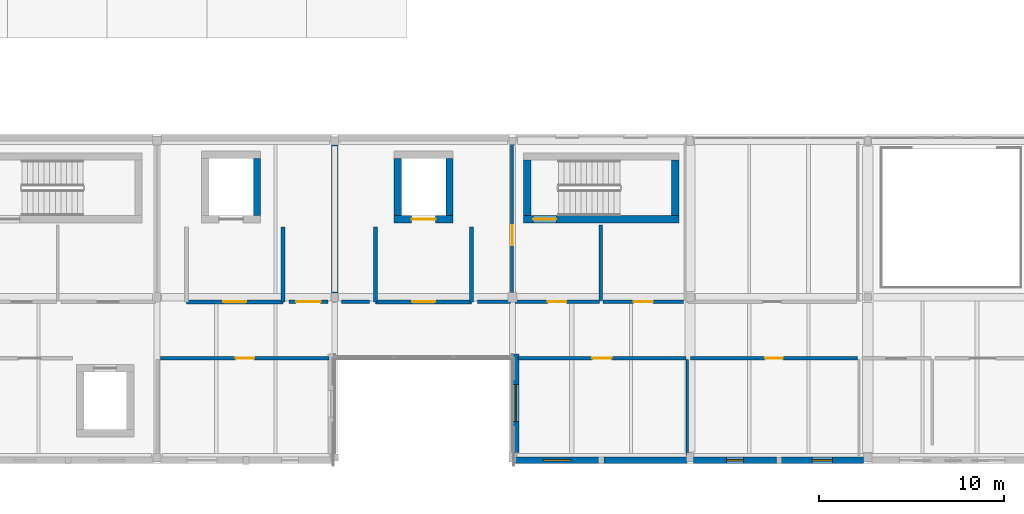
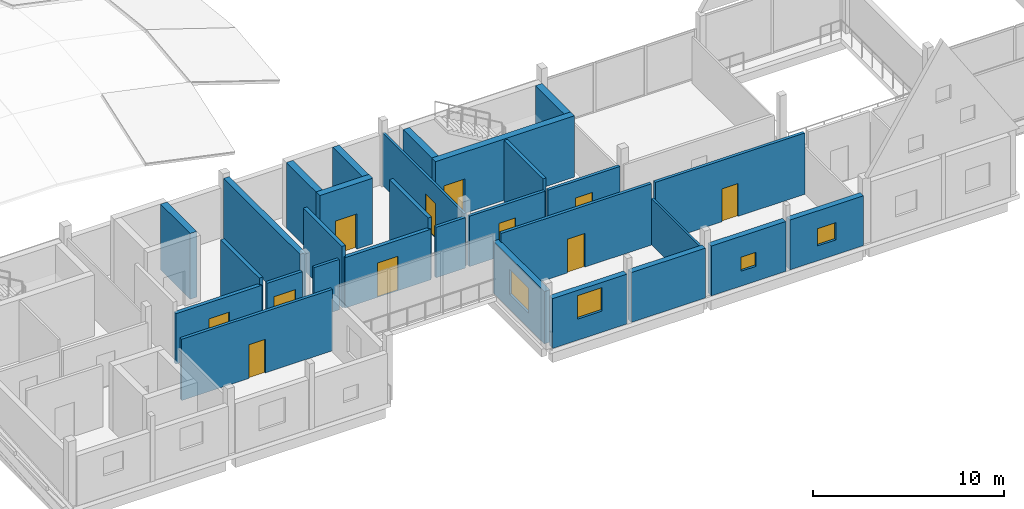
# One storey, part 21 of 35: 29 walls, 11 doors, 4 windows, 15 openings.
"""IFC4 building model written with IfcOpenShell, lengths in metres."""

from ifc_helpers import new_model, si_unit, direction, frame, frame_2d, origin, place, context, subcontext, project, spatial, rectangle, extrude, material, layer, layer_set, type_object, element, fill, save


model = new_model("IFC4")

# Units and contexts
model_context = context("Model", 3, precision=1e-05, world=origin(), true_north=direction((0.0, 1.0)))
body_context = subcontext(model_context, "Body", "Model", "MODEL_VIEW")
ifc_project = project(units=[si_unit("LENGTHUNIT", "METRE"), si_unit("AREAUNIT", "SQUARE_METRE"), si_unit("VOLUMEUNIT", "CUBIC_METRE"), si_unit("PLANEANGLEUNIT", "RADIAN"), si_unit("MASSUNIT", "GRAM", prefix="KILO")], contexts=[model_context])

# Site, building, storey
site_placement = place(None, origin())
site = spatial("IfcSite", under=ifc_project, at=site_placement, CompositionType="ELEMENT")
building_placement = place(site_placement, origin())
building = spatial("IfcBuilding", under=site, at=building_placement, Name="Birchvale Park Specialist Clinic", CompositionType="ELEMENT")
storey_placement = place(building_placement, frame((0.0, 0.0, 13.800048828125)))
storey = spatial("IfcBuildingStorey", under=building, at=storey_placement, Name="L03", CompositionType="ELEMENT", Elevation=13.800048828125)

# Wall, opening, door
ifc_material_1 = material(Name="Concrete C40/50", Category="concrete")
ifc_layer_1 = layer(ifc_material_1, 0.39990234375)
ifc_layer_set_1 = layer_set([ifc_layer_1], Name="Concrete C40/50")
wall_type_1 = type_object("IfcWallType", Name="WL-CW-120", PredefinedType="SHEAR", material=ifc_layer_set_1)
wall_1_placement = place(storey_placement, frame((90.800048828125, 30.0, 0.0), z_axis=(0.0, 0.0, 1.0), x_axis=(1.0, 0.0, 0.0)))
wall_1 = element("IfcWall", 1, at=wall_1_placement, inside=storey, type_object=wall_type_1, Name="L03 stair ST5 EI 120 enclosure wall (south)", PredefinedType="SHEAR", context=body_context, shape_type="SweptSolid", body=[
    extrude(rectangle(XDim=8.39990234375, YDim=0.39990234375, at=frame_2d((4.199951171875, 0.0))), origin(), (0.0, 0.0, 1.0), 3.919921875),
])
opening_1_placement = place(wall_1_placement, frame((0.52001953125, 0.0, 0.0)))
opening_1 = element("IfcOpeningElement", 2, at=opening_1_placement, cuts=wall_1, Name="Opening ID-FD60", PredefinedType="OPENING", context=body_context, shape_type="SweptSolid", body=[
    extrude(rectangle(XDim=1.25, YDim=2.199951171875, at=frame_2d((0.625, 1.10009765625))), frame((0.0, 0.2099609375, 0.0), z_axis=(0.0, -1.0, 0.0), x_axis=(1.0, 0.0, 0.0)), (0.0, 0.0, 1.0), 0.419921875),
])
ifc_material_2 = material(Name="Solid-core birch veneer and anodised aluminium", Category="aluminium")
door_type_1 = type_object("IfcDoorType", Name="DR-ID-FD60", OperationType="NOTDEFINED", PredefinedType="DOOR", material=ifc_material_2)
door_1_placement = place(opening_1_placement, origin())
door_1 = element("IfcDoor", 3, at=door_1_placement, inside=storey, type_object=door_type_1, Name="L03 stair ST5 fire door", OperationType="SINGLE_SWING_LEFT", OverallHeight=2.199951171875, OverallWidth=1.25, PredefinedType="DOOR", context=body_context, shape_type="SweptSolid", body=[
    extrude(rectangle(XDim=1.25, YDim=2.199951171875, at=frame_2d((0.625, 1.10009765625))), frame((0.0, 0.02490234375, 0.0), z_axis=(0.0, -1.0, 0.0), x_axis=(1.0, 0.0, 0.0)), (0.0, 0.0, 1.0), 0.050048828125),
])
fill(opening_1, door_1)

# Walls
for number, where, z_axis, x_axis, name in (
    (4, (91.0, 30.199951171875, 0.0), (0.0, 0.0, 1.0), (0.0, 1.0, 0.0), "L03 stair ST5 EI 120 enclosure wall (west)"),
    (5, (99.0, 33.199951171875, 0.0), (0.0, 0.0, 1.0), (0.0, -1.0, 0.0), "L03 stair ST5 EI 120 enclosure wall (east)"),
):
    element("IfcWall", number, at=place(storey_placement, frame(where, z_axis=z_axis, x_axis=x_axis)), inside=storey, type_object=wall_type_1, Name=name, PredefinedType="SHEAR", context=body_context, shape_type="SweptSolid", body=[
        extrude(rectangle(XDim=3.0, YDim=0.39990234375, at=frame_2d((1.5, 0.0))), origin(), (0.0, 0.0, 1.0), 3.919921875),
    ])
wall_2_placement = place(storey_placement, frame((76.39990234375, 33.300048828125, 0.0), z_axis=(0.0, 0.0, 1.0), x_axis=(0.0, -1.0, 0.0)))
element("IfcWall", 6, at=wall_2_placement, inside=storey, type_object=wall_type_1, Name="L03 lift LF1 shaft wall (east)", PredefinedType="SHEAR", context=body_context, shape_type="SweptSolid", body=[
    extrude(rectangle(XDim=3.10009765625, YDim=0.39990234375, at=frame_2d((1.550048828125, 0.0))), origin(), (0.0, 0.0, 1.0), 4.199951171875),
])

# Wall, opening, door
wall_3_placement = place(storey_placement, frame((83.800048828125, 30.0, 0.0), z_axis=(0.0, 0.0, 1.0), x_axis=(1.0, 0.0, 0.0)))
wall_3 = element("IfcWall", 7, at=wall_3_placement, inside=storey, type_object=wall_type_1, Name="L03 lift LF2 shaft wall (south)", PredefinedType="SHEAR", context=body_context, shape_type="SweptSolid", body=[
    extrude(rectangle(XDim=3.199951171875, YDim=0.39990234375, at=frame_2d((1.60009765625, 0.0))), origin(), (0.0, 0.0, 1.0), 4.199951171875),
])
opening_2_placement = place(wall_3_placement, frame((0.949951171875, 0.0, 0.0)))
opening_2 = element("IfcOpeningElement", 8, at=opening_2_placement, cuts=wall_3, Name="Opening LD-02", PredefinedType="OPENING", context=body_context, shape_type="SweptSolid", body=[
    extrude(rectangle(XDim=1.300048828125, YDim=2.25, at=frame_2d((0.64990234375, 1.125))), frame((0.0, 0.2099609375, 0.0), z_axis=(0.0, -1.0, 0.0), x_axis=(1.0, 0.0, 0.0)), (0.0, 0.0, 1.0), 0.419921875),
])
door_type_2 = type_object("IfcDoorType", Name="DR-LD-02", OperationType="DOUBLE_DOOR_SLIDING", PredefinedType="DOOR", material=ifc_material_2)
door_2_placement = place(opening_2_placement, origin())
door_2 = element("IfcDoor", 9, at=door_2_placement, inside=storey, type_object=door_type_2, Name="L03 lift LF2 sliding landing door", OperationType="DOUBLE_DOOR_SLIDING", OverallHeight=2.25, OverallWidth=1.300048828125, PredefinedType="DOOR", context=body_context, shape_type="SweptSolid", body=[
    extrude(rectangle(XDim=1.300048828125, YDim=2.25, at=frame_2d((0.64990234375, 1.125))), frame((0.0, 0.02490234375, 0.0), z_axis=(0.0, -1.0, 0.0), x_axis=(1.0, 0.0, 0.0)), (0.0, 0.0, 1.0), 0.050048828125),
])
fill(opening_2, door_2)

# Walls
for number, where, z_axis, x_axis, name in (
    (10, (84.0, 30.199951171875, 0.0), (0.0, 0.0, 1.0), (0.0, 1.0, 0.0), "L03 lift LF2 shaft wall (west)"),
    (11, (86.800048828125, 33.300048828125, 0.0), (0.0, 0.0, 1.0), (0.0, -1.0, 0.0), "L03 lift LF2 shaft wall (east)"),
):
    element("IfcWall", number, at=place(storey_placement, frame(where, z_axis=z_axis, x_axis=x_axis)), inside=storey, type_object=wall_type_1, Name=name, PredefinedType="SHEAR", context=body_context, shape_type="SweptSolid", body=[
        extrude(rectangle(XDim=3.10009765625, YDim=0.39990234375, at=frame_2d((1.550048828125, 0.0))), origin(), (0.0, 0.0, 1.0), 4.199951171875),
    ])

# Wall, opening, window
ifc_material_3 = material(Name="Lime-white mineral-rendered insulated masonry", Category="masonry")
ifc_layer_2 = layer(ifc_material_3, 0.340087890625)
ifc_layer_set_2 = layer_set([ifc_layer_2], Name="Lime-white mineral-rendered insulated masonry")
wall_type_2 = type_object("IfcWallType", Name="WL-EW-01", PredefinedType="STANDARD", material=ifc_layer_set_2)
wall_4_placement = place(storey_placement, frame((90.389892578125, 22.739990234375, 0.0), z_axis=(0.0, 0.0, 1.0), x_axis=(0.0, -1.0, 0.0)))
wall_4 = element("IfcWall", 12, at=wall_4_placement, inside=storey, type_object=wall_type_2, Name="V4 L03 exterior facade wall 243", PredefinedType="STANDARD", context=body_context, shape_type="SweptSolid", body=[
    extrude(rectangle(XDim=5.3349609375, YDim=0.340087890625, at=frame_2d((2.66748046875, 0.0))), origin(), (0.0, 0.0, 1.0), 3.3349609375),
])
opening_3_placement = place(wall_4_placement, frame((1.66748046875, 0.0, 0.949951171875)))
opening_3 = element("IfcOpeningElement", 13, at=opening_3_placement, cuts=wall_4, Name="Opening W-CL06", PredefinedType="OPENING", context=body_context, shape_type="SweptSolid", body=[
    extrude(rectangle(XDim=2.0, YDim=1.60009765625, at=frame_2d((1.0, 0.800048828125))), frame((0.0, 0.18017578125, 0.0), z_axis=(0.0, -1.0, 0.0), x_axis=(1.0, 0.0, 0.0)), (0.0, 0.0, 1.0), 0.360107421875),
])
ifc_material_4 = material(Name="Solar-control low-E double glazing", Category="glass")
window_type_1 = type_object("IfcWindowType", Name="WIN-W-CL06", PartitioningType="SINGLE_PANEL", PredefinedType="WINDOW", material=ifc_material_4)
window_1_placement = place(opening_3_placement, origin())
window_1 = element("IfcWindow", 14, at=window_1_placement, inside=storey, type_object=window_type_1, Name="V4 L03 cased window 105", OverallHeight=1.60009765625, OverallWidth=2.0, PartitioningType="SINGLE_PANEL", PredefinedType="WINDOW", context=body_context, shape_type="SweptSolid", body=[
    extrude(rectangle(XDim=2.0, YDim=1.60009765625, at=frame_2d((1.0, 0.800048828125))), frame((0.0, 0.030029296875, 0.0), z_axis=(0.0, -1.0, 0.0), x_axis=(1.0, 0.0, 0.0)), (0.0, 0.0, 1.0), 0.06005859375),
])
fill(opening_3, window_1)

wall_5_placement = place(storey_placement, frame((90.3798828125, 16.989990234375, 0.0), z_axis=(0.0, 0.0, 1.0), x_axis=(1.0, 0.0, 0.0)))
wall_5 = element("IfcWall", 15, at=wall_5_placement, inside=storey, type_object=wall_type_2, Name="V4 L03 exterior facade wall 244", PredefinedType="STANDARD", context=body_context, shape_type="SweptSolid", body=[
    extrude(rectangle(XDim=4.485107421875, YDim=0.340087890625, at=frame_2d((2.24267578125, 0.0))), origin(), (0.0, 0.0, 1.0), 3.18505859375),
])
opening_4_placement = place(wall_5_placement, frame((1.492431640625, 0.0, 1.35009765625)))
opening_4 = element("IfcOpeningElement", 16, at=opening_4_placement, cuts=wall_5, Name="Opening W-SQ15", PredefinedType="OPENING", context=body_context, shape_type="SweptSolid", body=[
    extrude(rectangle(XDim=1.5, YDim=1.5, at=frame_2d((0.75, 0.75))), frame((0.0, 0.18017578125, 0.0), z_axis=(0.0, -1.0, 0.0), x_axis=(1.0, 0.0, 0.0)), (0.0, 0.0, 1.0), 0.360107421875),
])
window_type_2 = type_object("IfcWindowType", Name="WIN-W-SQ15", PartitioningType="SINGLE_PANEL", PredefinedType="WINDOW", material=ifc_material_4)
window_2_placement = place(opening_4_placement, origin())
window_2 = element("IfcWindow", 17, at=window_2_placement, inside=storey, type_object=window_type_2, Name="V4 L03 cased window 106", OverallHeight=1.5, OverallWidth=1.5, PartitioningType="SINGLE_PANEL", PredefinedType="WINDOW", context=body_context, shape_type="SweptSolid", body=[
    extrude(rectangle(XDim=1.5, YDim=1.5, at=frame_2d((0.75, 0.75))), frame((0.0, 0.030029296875, 0.0), z_axis=(0.0, -1.0, 0.0), x_axis=(1.0, 0.0, 0.0)), (0.0, 0.0, 1.0), 0.06005859375),
])
fill(opening_4, window_2)

# Wall
wall_6_placement = place(storey_placement, frame((95.135009765625, 16.989990234375, 0.0), z_axis=(0.0, 0.0, 1.0), x_axis=(1.0, 0.0, 0.0)))
element("IfcWall", 18, at=wall_6_placement, inside=storey, type_object=wall_type_2, Name="V4 L03 exterior facade wall 245", PredefinedType="STANDARD", context=body_context, shape_type="SweptSolid", body=[
    extrude(rectangle(XDim=4.485107421875, YDim=0.340087890625, at=frame_2d((2.24267578125, 0.0))), origin(), (0.0, 0.0, 1.0), 3.18505859375),
])

# Wall, opening, window
wall_7_placement = place(storey_placement, frame((99.97998046875, 16.989990234375, 0.0), z_axis=(0.0, 0.0, 1.0), x_axis=(1.0, 0.0, 0.0)))
wall_7 = element("IfcWall", 19, at=wall_7_placement, inside=storey, type_object=wall_type_2, Name="V4 L03 exterior facade wall 246", PredefinedType="STANDARD", context=body_context, shape_type="SweptSolid", body=[
    extrude(rectangle(XDim=4.5, YDim=0.340087890625, at=frame_2d((2.25, 0.0))), origin(), (0.0, 0.0, 1.0), 3.18505859375),
])
opening_5_placement = place(wall_7_placement, frame((1.800048828125, 0.0, 0.949951171875)))
opening_5 = element("IfcOpeningElement", 20, at=opening_5_placement, cuts=wall_7, Name="Opening W-SQ09", PredefinedType="OPENING", context=body_context, shape_type="SweptSolid", body=[
    extrude(rectangle(XDim=0.89990234375, YDim=0.89990234375, at=frame_2d((0.449951171875, 0.449951171875))), frame((0.0, 0.18017578125, 0.0), z_axis=(0.0, -1.0, 0.0), x_axis=(1.0, 0.0, 0.0)), (0.0, 0.0, 1.0), 0.360107421875),
])
window_type_3 = type_object("IfcWindowType", Name="WIN-W-SQ09", PartitioningType="SINGLE_PANEL", PredefinedType="WINDOW", material=ifc_material_4)
window_3_placement = place(opening_5_placement, origin())
window_3 = element("IfcWindow", 21, at=window_3_placement, inside=storey, type_object=window_type_3, Name="V4 L03 cased window 107", OverallHeight=0.89990234375, OverallWidth=0.89990234375, PartitioningType="SINGLE_PANEL", PredefinedType="WINDOW", context=body_context, shape_type="SweptSolid", body=[
    extrude(rectangle(XDim=0.89990234375, YDim=0.89990234375, at=frame_2d((0.449951171875, 0.449951171875))), frame((0.0, 0.030029296875, 0.0), z_axis=(0.0, -1.0, 0.0), x_axis=(1.0, 0.0, 0.0)), (0.0, 0.0, 1.0), 0.06005859375),
])
fill(opening_5, window_3)

wall_8_placement = place(storey_placement, frame((104.719970703125, 16.989990234375, 0.0), z_axis=(0.0, 0.0, 1.0), x_axis=(1.0, 0.0, 0.0)))
wall_8 = element("IfcWall", 22, at=wall_8_placement, inside=storey, type_object=wall_type_2, Name="V4 L03 exterior facade wall 247", PredefinedType="STANDARD", context=body_context, shape_type="SweptSolid", body=[
    extrude(rectangle(XDim=4.445068359375, YDim=0.340087890625, at=frame_2d((2.22265625, 0.0))), origin(), (0.0, 0.0, 1.0), 3.18505859375),
])
opening_6_placement = place(wall_8_placement, frame((1.672607421875, 0.0, 0.949951171875)))
opening_6 = element("IfcOpeningElement", 23, at=opening_6_placement, cuts=wall_8, Name="Opening W-SQ11", PredefinedType="OPENING", context=body_context, shape_type="SweptSolid", body=[
    extrude(rectangle(XDim=1.10009765625, YDim=1.10009765625, at=frame_2d((0.550048828125, 0.550048828125))), frame((0.0, 0.18017578125, 0.0), z_axis=(0.0, -1.0, 0.0), x_axis=(1.0, 0.0, 0.0)), (0.0, 0.0, 1.0), 0.360107421875),
])
window_type_4 = type_object("IfcWindowType", Name="WIN-W-SQ11", PartitioningType="SINGLE_PANEL", PredefinedType="WINDOW", material=ifc_material_4)
window_4_placement = place(opening_6_placement, origin())
window_4 = element("IfcWindow", 24, at=window_4_placement, inside=storey, type_object=window_type_4, Name="V4 L03 cased window 108", OverallHeight=1.10009765625, OverallWidth=1.10009765625, PartitioningType="SINGLE_PANEL", PredefinedType="WINDOW", context=body_context, shape_type="SweptSolid", body=[
    extrude(rectangle(XDim=1.10009765625, YDim=1.10009765625, at=frame_2d((0.550048828125, 0.550048828125))), frame((0.0, 0.030029296875, 0.0), z_axis=(0.0, -1.0, 0.0), x_axis=(1.0, 0.0, 0.0)), (0.0, 0.0, 1.0), 0.06005859375),
])
fill(opening_6, window_4)

# Wall, opening, door
ifc_material_5 = material(Name="Acoustic gypsum board on metal framing")
ifc_layer_3 = layer(ifc_material_5, 0.139892578125)
ifc_layer_set_3 = layer_set([ifc_layer_3], Name="Acoustic gypsum board on metal framing")
wall_type_3 = type_object("IfcWallType", Name="WL-IW-03", PredefinedType="PARTITIONING", material=ifc_layer_set_3)
wall_9_placement = place(storey_placement, frame((90.179931640625, 34.159912109375, 0.0), z_axis=(0.0, 0.0, 1.0), x_axis=(0.0, -1.0, 0.0)))
wall_9 = element("IfcWall", 25, at=wall_9_placement, inside=storey, type_object=wall_type_3, Name="V4 L03 clinical partition 517", PredefinedType="PARTITIONING", context=body_context, shape_type="SweptSolid", body=[
    extrude(rectangle(XDim=8.530029296875, YDim=0.139892578125, at=frame_2d((4.26513671875, 0.0))), origin(), (0.0, 0.0, 1.0), 3.364990234375),
])
opening_7_placement = place(wall_9_placement, frame((4.47509765625, 0.0, 0.0)))
opening_7 = element("IfcOpeningElement", 26, at=opening_7_placement, cuts=wall_9, Name="Opening ID-03", PredefinedType="OPENING", context=body_context, shape_type="SweptSolid", body=[
    extrude(rectangle(XDim=1.080078125, YDim=2.199951171875, at=frame_2d((0.5400390625, 1.10009765625))), frame((0.0, 0.080078125, 0.0), z_axis=(0.0, -1.0, 0.0), x_axis=(1.0, 0.0, 0.0)), (0.0, 0.0, 1.0), 0.159912109375),
])
door_type_3 = type_object("IfcDoorType", Name="DR-ID-03", OperationType="NOTDEFINED", PredefinedType="DOOR", material=ifc_material_2)
door_3_placement = place(opening_7_placement, origin())
door_3 = element("IfcDoor", 27, at=door_3_placement, inside=storey, type_object=door_type_3, Name="V4 L03 clinical suite door 345", OperationType="SINGLE_SWING_RIGHT", OverallHeight=2.199951171875, OverallWidth=1.080078125, PredefinedType="DOOR", context=body_context, shape_type="SweptSolid", body=[
    extrude(rectangle(XDim=1.080078125, YDim=2.199951171875, at=frame_2d((0.5400390625, 1.10009765625))), frame((0.0, 0.02490234375, 0.0), z_axis=(0.0, -1.0, 0.0), x_axis=(1.0, 0.0, 0.0)), (0.0, 0.0, 1.0), 0.050048828125),
])
fill(opening_7, door_3)

# Walls
ifc_layer_4 = layer(ifc_material_5, 0.125)
ifc_layer_set_4 = layer_set([ifc_layer_4], Name="Acoustic gypsum board on metal framing")
wall_type_4 = type_object("IfcWallType", Name="WL-IW-04", PredefinedType="PARTITIONING", material=ifc_layer_set_4)
wall_10_placement = place(storey_placement, frame((99.6533203125, 22.419921875, 0.0), z_axis=(0.0, 0.0, 1.0), x_axis=(0.0, -1.0, 0.0)))
element("IfcWall", 28, at=wall_10_placement, inside=storey, type_object=wall_type_4, Name="V4 L03 clinical partition 505", PredefinedType="PARTITIONING", context=body_context, shape_type="SweptSolid", body=[
    extrude(rectangle(XDim=5.179931640625, YDim=0.125, at=frame_2d((2.58984375, 0.0))), origin(), (0.0, 0.0, 1.0), 2.96484375),
])
ifc_layer_5 = layer(ifc_material_5, 0.195068359375)
ifc_layer_set_5 = layer_set([ifc_layer_5], Name="Acoustic gypsum board on metal framing")
wall_type_5 = type_object("IfcWallType", Name="WL-IW-07", PredefinedType="PARTITIONING", material=ifc_layer_set_5)
wall_11_placement = place(storey_placement, frame((94.97998046875, 29.699951171875, 0.0), z_axis=(0.0, 0.0, 1.0), x_axis=(0.0, -1.0, 0.0)))
element("IfcWall", 29, at=wall_11_placement, inside=storey, type_object=wall_type_5, Name="V4 L03 clinical partition 519", PredefinedType="PARTITIONING", context=body_context, shape_type="SweptSolid", body=[
    extrude(rectangle(XDim=4.070068359375, YDim=0.195068359375, at=frame_2d((2.03515625, 0.0))), origin(), (0.0, 0.0, 1.0), 3.919921875),
])

# Wall, opening, door
ifc_layer_6 = layer(ifc_material_5, 0.219970703125)
ifc_layer_set_6 = layer_set([ifc_layer_6], Name="Acoustic gypsum board on metal framing")
wall_type_6 = type_object("IfcWallType", Name="WL-IW-120", PredefinedType="PARTITIONING", material=ifc_layer_set_6)
wall_12_placement = place(storey_placement, frame((72.60009765625, 25.550048828125, 0.0), z_axis=(0.0, 0.0, 1.0), x_axis=(1.0, 0.0, 0.0)))
wall_12 = element("IfcWall", 30, at=wall_12_placement, inside=storey, type_object=wall_type_6, Name="L03 firefighting lift lobby K4 EI 120 wall (south)", PredefinedType="PARTITIONING", context=body_context, shape_type="SweptSolid", body=[
    extrude(rectangle(XDim=5.199951171875, YDim=0.219970703125, at=frame_2d((2.60009765625, 0.0))), origin(), (0.0, 0.0, 1.0), 3.224853515625),
])
opening_8_placement = place(wall_12_placement, frame((1.97509765625, 0.0, 0.0)))
opening_8 = element("IfcOpeningElement", 31, at=opening_8_placement, cuts=wall_12, Name="Opening ID-FD60", PredefinedType="OPENING", context=body_context, shape_type="SweptSolid", body=[
    extrude(rectangle(XDim=1.25, YDim=2.199951171875, at=frame_2d((0.625, 1.10009765625))), frame((0.0, 0.1201171875, 0.0), z_axis=(0.0, -1.0, 0.0), x_axis=(1.0, 0.0, 0.0)), (0.0, 0.0, 1.0), 0.239990234375),
])
door_4_placement = place(opening_8_placement, origin())
door_4 = element("IfcDoor", 32, at=door_4_placement, inside=storey, type_object=door_type_1, Name="L03 firefighting lobby K4 fire door", OperationType="SINGLE_SWING_RIGHT", OverallHeight=2.199951171875, OverallWidth=1.25, PredefinedType="DOOR", context=body_context, shape_type="SweptSolid", body=[
    extrude(rectangle(XDim=1.25, YDim=2.199951171875, at=frame_2d((0.625, 1.10009765625))), frame((0.0, 0.02490234375, 0.0), z_axis=(0.0, -1.0, 0.0), x_axis=(1.0, 0.0, 0.0)), (0.0, 0.0, 1.0), 0.050048828125),
])
fill(opening_8, door_4)

# Walls
wall_13_placement = place(storey_placement, frame((77.800048828125, 25.550048828125, 0.0), z_axis=(0.0, 0.0, 1.0), x_axis=(0.0, 1.0, 0.0)))
element("IfcWall", 33, at=wall_13_placement, inside=storey, type_object=wall_type_6, Name="L03 firefighting lift lobby K4 EI 120 wall (east)", PredefinedType="PARTITIONING", context=body_context, shape_type="SweptSolid", body=[
    extrude(rectangle(XDim=4.050048828125, YDim=0.219970703125, at=frame_2d((2.02490234375, 0.0))), origin(), (0.0, 0.0, 1.0), 3.64306640625),
])
wall_14_placement = place(storey_placement, frame((82.800048828125, 29.60009765625, 0.0), z_axis=(0.0, 0.0, 1.0), x_axis=(0.0, -1.0, 0.0)))
element("IfcWall", 34, at=wall_14_placement, inside=storey, type_object=wall_type_6, Name="L03 firefighting lift lobby K5 EI 120 wall (west)", PredefinedType="PARTITIONING", context=body_context, shape_type="SweptSolid", body=[
    extrude(rectangle(XDim=4.050048828125, YDim=0.219970703125, at=frame_2d((2.02490234375, 0.0))), origin(), (0.0, 0.0, 1.0), 3.919921875),
])

# Wall, opening, door
wall_15_placement = place(storey_placement, frame((82.800048828125, 25.550048828125, 0.0), z_axis=(0.0, 0.0, 1.0), x_axis=(1.0, 0.0, 0.0)))
wall_15 = element("IfcWall", 35, at=wall_15_placement, inside=storey, type_object=wall_type_6, Name="L03 firefighting lift lobby K5 EI 120 wall (south)", PredefinedType="PARTITIONING", context=body_context, shape_type="SweptSolid", body=[
    extrude(rectangle(XDim=5.199951171875, YDim=0.219970703125, at=frame_2d((2.60009765625, 0.0))), origin(), (0.0, 0.0, 1.0), 3.224853515625),
])
opening_9_placement = place(wall_15_placement, frame((1.97509765625, 0.0, 0.0)))
opening_9 = element("IfcOpeningElement", 36, at=opening_9_placement, cuts=wall_15, Name="Opening ID-FD60", PredefinedType="OPENING", context=body_context, shape_type="SweptSolid", body=[
    extrude(rectangle(XDim=1.25, YDim=2.199951171875, at=frame_2d((0.625, 1.10009765625))), frame((0.0, 0.1201171875, 0.0), z_axis=(0.0, -1.0, 0.0), x_axis=(1.0, 0.0, 0.0)), (0.0, 0.0, 1.0), 0.239990234375),
])
door_5_placement = place(opening_9_placement, origin())
door_5 = element("IfcDoor", 37, at=door_5_placement, inside=storey, type_object=door_type_1, Name="L03 firefighting lobby K5 fire door", OperationType="SINGLE_SWING_LEFT", OverallHeight=2.199951171875, OverallWidth=1.25, PredefinedType="DOOR", context=body_context, shape_type="SweptSolid", body=[
    extrude(rectangle(XDim=1.25, YDim=2.199951171875, at=frame_2d((0.625, 1.10009765625))), frame((0.0, 0.02490234375, 0.0), z_axis=(0.0, -1.0, 0.0), x_axis=(1.0, 0.0, 0.0)), (0.0, 0.0, 1.0), 0.050048828125),
])
fill(opening_9, door_5)

# Wall
wall_16_placement = place(storey_placement, frame((88.0, 25.550048828125, 0.0), z_axis=(0.0, 0.0, 1.0), x_axis=(0.0, 1.0, 0.0)))
element("IfcWall", 38, at=wall_16_placement, inside=storey, type_object=wall_type_6, Name="L03 firefighting lift lobby K5 EI 120 wall (east)", PredefinedType="PARTITIONING", context=body_context, shape_type="SweptSolid", body=[
    extrude(rectangle(XDim=4.050048828125, YDim=0.219970703125, at=frame_2d((2.02490234375, 0.0))), origin(), (0.0, 0.0, 1.0), 3.919921875),
])

# Wall, opening, door
ifc_layer_7 = layer(ifc_material_5, 0.179931640625)
ifc_layer_set_7 = layer_set([ifc_layer_7], Name="Acoustic gypsum board on metal framing")
wall_type_7 = type_object("IfcWallType", Name="WL-IW-60", PredefinedType="PARTITIONING", material=ifc_layer_set_7)
wall_17_placement = place(storey_placement, frame((71.18994140625, 22.5, 0.0), z_axis=(0.0, 0.0, 1.0), x_axis=(1.0, 0.0, 0.0)))
wall_17 = element("IfcWall", 39, at=wall_17_placement, inside=storey, type_object=wall_type_7, Name="V4 L03 clinical partition 503", PredefinedType="PARTITIONING", context=body_context, shape_type="SweptSolid", body=[
    extrude(rectangle(XDim=9.110107421875, YDim=0.179931640625, at=frame_2d((4.55517578125, 0.0))), origin(), (0.0, 0.0, 1.0), 3.919921875),
])
opening_10_placement = place(wall_17_placement, frame((4.054931640625, 0.0, 0.0)))
opening_10 = element("IfcOpeningElement", 40, at=opening_10_placement, cuts=wall_17, Name="Opening ID-01", PredefinedType="OPENING", context=body_context, shape_type="SweptSolid", body=[
    extrude(rectangle(XDim=1.0, YDim=2.14990234375, at=frame_2d((0.5, 1.074951171875))), frame((0.0, 0.10009765625, 0.0), z_axis=(0.0, -1.0, 0.0), x_axis=(1.0, 0.0, 0.0)), (0.0, 0.0, 1.0), 0.199951171875),
])
door_type_4 = type_object("IfcDoorType", Name="DR-ID-01", OperationType="NOTDEFINED", PredefinedType="DOOR", material=ifc_material_2)
door_6_placement = place(opening_10_placement, origin())
door_6 = element("IfcDoor", 41, at=door_6_placement, inside=storey, type_object=door_type_4, Name="L03 Low-Vision Examination Suite door", OperationType="SINGLE_SWING_RIGHT", OverallHeight=2.14990234375, OverallWidth=1.0, PredefinedType="DOOR", context=body_context, shape_type="SweptSolid", body=[
    extrude(rectangle(XDim=1.0, YDim=2.14990234375, at=frame_2d((0.5, 1.074951171875))), frame((0.0, 0.02490234375, 0.0), z_axis=(0.0, -1.0, 0.0), x_axis=(1.0, 0.0, 0.0)), (0.0, 0.0, 1.0), 0.050048828125),
])
fill(opening_10, door_6)

wall_18_placement = place(storey_placement, frame((90.5, 22.5, 0.0), z_axis=(0.0, 0.0, 1.0), x_axis=(1.0, 0.0, 0.0)))
wall_18 = element("IfcWall", 42, at=wall_18_placement, inside=storey, type_object=wall_type_7, Name="V4 L03 clinical partition 504", PredefinedType="PARTITIONING", context=body_context, shape_type="SweptSolid", body=[
    extrude(rectangle(XDim=9.0732421875, YDim=0.179931640625, at=frame_2d((4.53662109375, 0.0))), origin(), (0.0, 0.0, 1.0), 3.919921875),
])
opening_11_placement = place(wall_18_placement, frame((4.0166015625, 0.0, 0.0)))
opening_11 = element("IfcOpeningElement", 43, at=opening_11_placement, cuts=wall_18, Name="Opening ID-02", PredefinedType="OPENING", context=body_context, shape_type="SweptSolid", body=[
    extrude(rectangle(XDim=1.0400390625, YDim=2.14990234375, at=frame_2d((0.52001953125, 1.074951171875))), frame((0.0, 0.10009765625, 0.0), z_axis=(0.0, -1.0, 0.0), x_axis=(1.0, 0.0, 0.0)), (0.0, 0.0, 1.0), 0.199951171875),
])
door_type_5 = type_object("IfcDoorType", Name="DR-ID-02", OperationType="NOTDEFINED", PredefinedType="DOOR", material=ifc_material_2)
door_7_placement = place(opening_11_placement, origin())
door_7 = element("IfcDoor", 44, at=door_7_placement, inside=storey, type_object=door_type_5, Name="L03 Endocrinology Consultation Clinic door", OperationType="SINGLE_SWING_LEFT", OverallHeight=2.14990234375, OverallWidth=1.0400390625, PredefinedType="DOOR", context=body_context, shape_type="SweptSolid", body=[
    extrude(rectangle(XDim=1.0400390625, YDim=2.14990234375, at=frame_2d((0.52001953125, 1.074951171875))), frame((0.0, 0.02490234375, 0.0), z_axis=(0.0, -1.0, 0.0), x_axis=(1.0, 0.0, 0.0)), (0.0, 0.0, 1.0), 0.050048828125),
])
fill(opening_11, door_7)

wall_19_placement = place(storey_placement, frame((99.813232421875, 22.5, 0.0), z_axis=(0.0, 0.0, 1.0), x_axis=(1.0, 0.0, 0.0)))
wall_19 = element("IfcWall", 45, at=wall_19_placement, inside=storey, type_object=wall_type_7, Name="V4 L03 clinical partition 506", PredefinedType="PARTITIONING", context=body_context, shape_type="SweptSolid", body=[
    extrude(rectangle(XDim=9.033447265625, YDim=0.179931640625, at=frame_2d((4.5166015625, 0.0))), origin(), (0.0, 0.0, 1.0), 3.919921875),
])
opening_12_placement = place(wall_19_placement, frame((4.03662109375, 0.0, 0.0)))
opening_12 = element("IfcOpeningElement", 46, at=opening_12_placement, cuts=wall_19, Name="Opening ID-04", PredefinedType="OPENING", context=body_context, shape_type="SweptSolid", body=[
    extrude(rectangle(XDim=0.9599609375, YDim=2.10009765625, at=frame_2d((0.47998046875, 1.050048828125))), frame((0.0, 0.10009765625, 0.0), z_axis=(0.0, -1.0, 0.0), x_axis=(1.0, 0.0, 0.0)), (0.0, 0.0, 1.0), 0.199951171875),
])
door_type_6 = type_object("IfcDoorType", Name="DR-ID-04", OperationType="NOTDEFINED", PredefinedType="DOOR", material=ifc_material_2)
door_8_placement = place(opening_12_placement, origin())
door_8 = element("IfcDoor", 47, at=door_8_placement, inside=storey, type_object=door_type_6, Name="L03 Outpatient Waiting Lounge door", OperationType="SINGLE_SWING_RIGHT", OverallHeight=2.10009765625, OverallWidth=0.9599609375, PredefinedType="DOOR", context=body_context, shape_type="SweptSolid", body=[
    extrude(rectangle(XDim=0.9599609375, YDim=2.10009765625, at=frame_2d((0.47998046875, 1.050048828125))), frame((0.0, 0.02490234375, 0.0), z_axis=(0.0, -1.0, 0.0), x_axis=(1.0, 0.0, 0.0)), (0.0, 0.0, 1.0), 0.050048828125),
])
fill(opening_12, door_8)

wall_20_placement = place(storey_placement, frame((80.239990234375, 25.550048828125, 0.0), z_axis=(0.0, 0.0, 1.0), x_axis=(-1.0, 0.0, 0.0)))
wall_20 = element("IfcWall", 48, at=wall_20_placement, inside=storey, type_object=wall_type_7, Name="V4 L03 clinical partition 515", PredefinedType="PARTITIONING", context=body_context, shape_type="SweptSolid", body=[
    extrude(rectangle(XDim=2.119873046875, YDim=0.179931640625, at=frame_2d((1.06005859375, 0.0))), origin(), (0.0, 0.0, 1.0), 3.224853515625),
])
opening_13_placement = place(wall_20_placement, frame((0.39990234375, 0.0, 0.0)))
opening_13 = element("IfcOpeningElement", 49, at=opening_13_placement, cuts=wall_20, Name="Opening ID-12", PredefinedType="OPENING", context=body_context, shape_type="SweptSolid", body=[
    extrude(rectangle(XDim=1.320068359375, YDim=2.219970703125, at=frame_2d((0.66015625, 1.10986328125))), frame((0.0, 0.10009765625, 0.0), z_axis=(0.0, -1.0, 0.0), x_axis=(1.0, 0.0, 0.0)), (0.0, 0.0, 1.0), 0.199951171875),
])
door_type_7 = type_object("IfcDoorType", Name="DR-ID-12", OperationType="NOTDEFINED", PredefinedType="DOOR", material=ifc_material_2)
door_9_placement = place(opening_13_placement, origin())
door_9 = element("IfcDoor", 50, at=door_9_placement, inside=storey, type_object=door_type_7, Name="L03 Cardiology Examination Clinic door", OperationType="SINGLE_SWING_LEFT", OverallHeight=2.219970703125, OverallWidth=1.320068359375, PredefinedType="DOOR", context=body_context, shape_type="SweptSolid", body=[
    extrude(rectangle(XDim=1.320068359375, YDim=2.219970703125, at=frame_2d((0.66015625, 1.10986328125))), frame((0.0, 0.02490234375, 0.0), z_axis=(0.0, -1.0, 0.0), x_axis=(1.0, 0.0, 0.0)), (0.0, 0.0, 1.0), 0.050048828125),
])
fill(opening_13, door_9)

# Walls
wall_21_placement = place(storey_placement, frame((82.47998046875, 25.550048828125, 0.0), z_axis=(0.0, 0.0, 1.0), x_axis=(-1.0, 0.0, 0.0)))
element("IfcWall", 51, at=wall_21_placement, inside=storey, type_object=wall_type_7, Name="V4 L03 clinical partition 516", PredefinedType="PARTITIONING", context=body_context, shape_type="SweptSolid", body=[
    extrude(rectangle(XDim=1.52001953125, YDim=0.179931640625, at=frame_2d((0.760009765625, 0.0))), origin(), (0.0, 0.0, 1.0), 3.224853515625),
])
wall_22_placement = place(storey_placement, frame((90.10009765625, 25.550048828125, 0.0), z_axis=(0.0, 0.0, 1.0), x_axis=(-1.0, 0.0, 0.0)))
element("IfcWall", 52, at=wall_22_placement, inside=storey, type_object=wall_type_7, Name="V4 L03 clinical partition 518", PredefinedType="PARTITIONING", context=body_context, shape_type="SweptSolid", body=[
    extrude(rectangle(XDim=1.780029296875, YDim=0.179931640625, at=frame_2d((0.89013671875, 0.0))), origin(), (0.0, 0.0, 1.0), 3.224853515625),
])

# Wall, opening, door
wall_23_placement = place(storey_placement, frame((94.89990234375, 25.550048828125, 0.0), z_axis=(0.0, 0.0, 1.0), x_axis=(-1.0, 0.0, 0.0)))
wall_23 = element("IfcWall", 53, at=wall_23_placement, inside=storey, type_object=wall_type_7, Name="V4 L03 clinical partition 520", PredefinedType="PARTITIONING", context=body_context, shape_type="SweptSolid", body=[
    extrude(rectangle(XDim=4.559814453125, YDim=0.179931640625, at=frame_2d((2.27978515625, 0.0))), origin(), (0.0, 0.0, 1.0), 3.224853515625),
])
opening_14_placement = place(wall_23_placement, frame((1.780029296875, 0.0, 0.0)))
opening_14 = element("IfcOpeningElement", 54, at=opening_14_placement, cuts=wall_23, Name="Opening ID-01", PredefinedType="OPENING", context=body_context, shape_type="SweptSolid", body=[
    extrude(rectangle(XDim=1.0, YDim=2.14990234375, at=frame_2d((0.5, 1.074951171875))), frame((0.0, 0.10009765625, 0.0), z_axis=(0.0, -1.0, 0.0), x_axis=(1.0, 0.0, 0.0)), (0.0, 0.0, 1.0), 0.199951171875),
])
door_10_placement = place(opening_14_placement, origin())
door_10 = element("IfcDoor", 55, at=door_10_placement, inside=storey, type_object=door_type_4, Name="L03 Ophthalmology Outpatient Clinic door", OperationType="SINGLE_SWING_LEFT", OverallHeight=2.14990234375, OverallWidth=1.0, PredefinedType="DOOR", context=body_context, shape_type="SweptSolid", body=[
    extrude(rectangle(XDim=1.0, YDim=2.14990234375, at=frame_2d((0.5, 1.074951171875))), frame((0.0, 0.02490234375, 0.0), z_axis=(0.0, -1.0, 0.0), x_axis=(1.0, 0.0, 0.0)), (0.0, 0.0, 1.0), 0.050048828125),
])
fill(opening_14, door_10)

wall_24_placement = place(storey_placement, frame((99.43994140625, 25.550048828125, 0.0), z_axis=(0.0, 0.0, 1.0), x_axis=(-1.0, 0.0, 0.0)))
wall_24 = element("IfcWall", 56, at=wall_24_placement, inside=storey, type_object=wall_type_7, Name="V4 L03 clinical partition 522", PredefinedType="PARTITIONING", context=body_context, shape_type="SweptSolid", body=[
    extrude(rectangle(XDim=4.33984375, YDim=0.179931640625, at=frame_2d((2.169921875, 0.0))), origin(), (0.0, 0.0, 1.0), 3.224853515625),
])
opening_15_placement = place(wall_24_placement, frame((1.64990234375, 0.0, 0.0)))
opening_15 = element("IfcOpeningElement", 57, at=opening_15_placement, cuts=wall_24, Name="Opening ID-02", PredefinedType="OPENING", context=body_context, shape_type="SweptSolid", body=[
    extrude(rectangle(XDim=1.0400390625, YDim=2.14990234375, at=frame_2d((0.52001953125, 1.074951171875))), frame((0.0, 0.10009765625, 0.0), z_axis=(0.0, -1.0, 0.0), x_axis=(1.0, 0.0, 0.0)), (0.0, 0.0, 1.0), 0.199951171875),
])
door_11_placement = place(opening_15_placement, origin())
door_11 = element("IfcDoor", 58, at=door_11_placement, inside=storey, type_object=door_type_5, Name="L03 Ophthalmology Outpatient Clinic door", OperationType="SINGLE_SWING_RIGHT", OverallHeight=2.14990234375, OverallWidth=1.0400390625, PredefinedType="DOOR", context=body_context, shape_type="SweptSolid", body=[
    extrude(rectangle(XDim=1.0400390625, YDim=2.14990234375, at=frame_2d((0.52001953125, 1.074951171875))), frame((0.0, 0.02490234375, 0.0), z_axis=(0.0, -1.0, 0.0), x_axis=(1.0, 0.0, 0.0)), (0.0, 0.0, 1.0), 0.050048828125),
])
fill(opening_15, door_11)

# Wall
ifc_layer_8 = layer(ifc_material_1, 0.35009765625)
ifc_layer_set_8 = layer_set([ifc_layer_8], Name="Concrete C40/50")
wall_type_8 = type_object("IfcWallType", Name="WL-SW-350", PredefinedType="SHEAR", material=ifc_layer_set_8)
wall_25_placement = place(storey_placement, frame((80.60009765625, 26.02490234375, 0.0), z_axis=(0.0, 0.0, 1.0), x_axis=(0.0, 1.0, 0.0)))
element("IfcWall", 59, at=wall_25_placement, inside=storey, type_object=wall_type_8, Name="V4 L03 coupled seismic shear wall 8", PredefinedType="SHEAR", context=body_context, shape_type="SweptSolid", body=[
    extrude(rectangle(XDim=8.010009765625, YDim=0.35009765625, at=frame_2d((4.0048828125, 0.0))), origin(), (0.0, 0.0, 1.0), 3.919921875),
])

save(model, "model.ifc")
